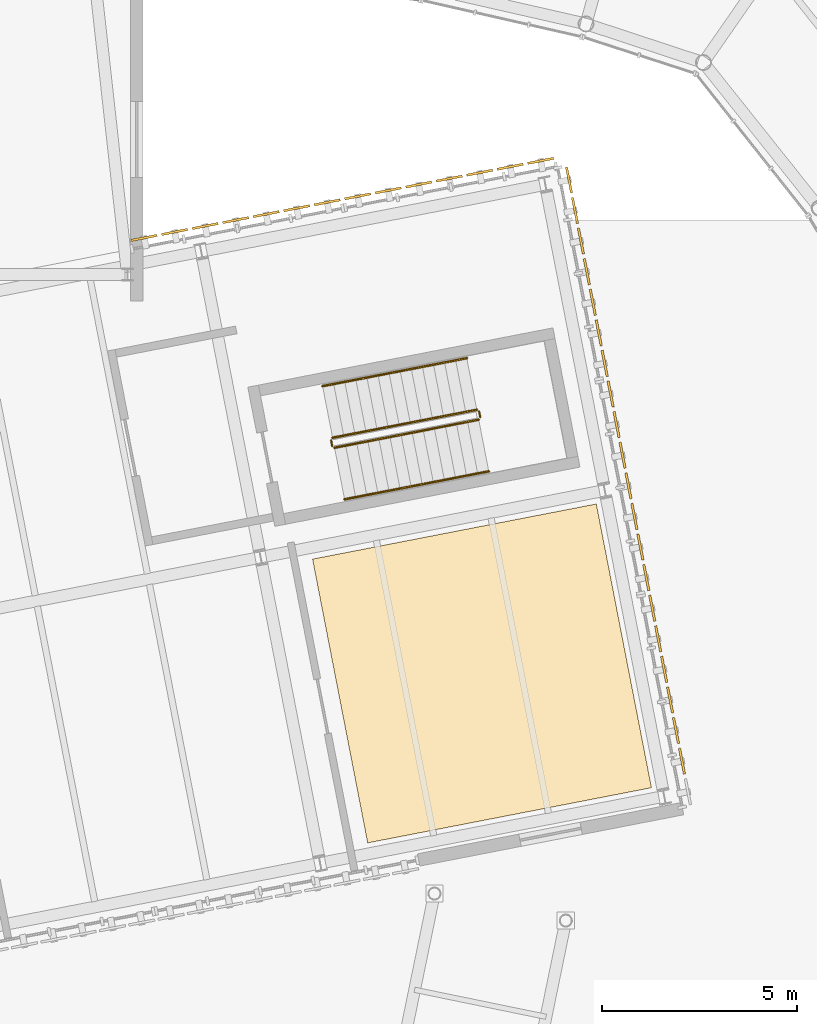
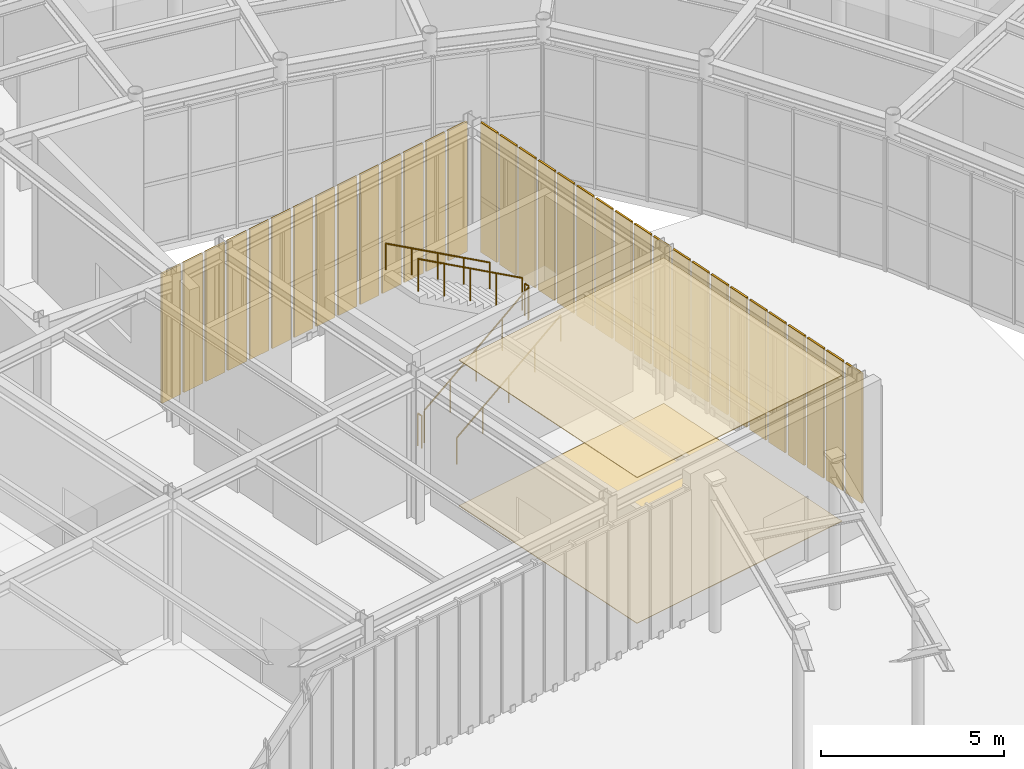
# One storey, part 93 of 97: 34 shading devices, 6 railings, 2 coverings.
"""IFC4 building model written with IfcOpenShell, lengths in metres."""

from ifc_helpers import new_model, si_unit, direction, frame, origin, origin_2d, place, context, subcontext, project, spatial, polyline, rectangle, circle, outline, extrude, material, layer, layer_set, type_object, element, save


model = new_model("IFC4")

# Units and contexts
model_context = context("Model", 3, precision=1e-05, world=origin(), true_north=direction((0.0, 1.0)))
body_context = subcontext(model_context, "Body", "Model", "MODEL_VIEW")
ifc_project = project(units=[si_unit("LENGTHUNIT", "METRE"), si_unit("AREAUNIT", "SQUARE_METRE"), si_unit("VOLUMEUNIT", "CUBIC_METRE"), si_unit("PLANEANGLEUNIT", "RADIAN"), si_unit("MASSUNIT", "GRAM", prefix="KILO")], contexts=[model_context])

# Site, building, storey
site_placement = place(None, origin())
site = spatial("IfcSite", under=ifc_project, at=site_placement, CompositionType="ELEMENT")
building_placement = place(site_placement, origin())
building = spatial("IfcBuilding", under=site, at=building_placement, Name="Varnklinge Art Gallery", CompositionType="ELEMENT")
storey_placement = place(building_placement, origin())
storey = spatial("IfcBuildingStorey", under=building, at=storey_placement, Name="L00", CompositionType="ELEMENT", Elevation=0.0)

# Coverings
ifc_material_1 = material(Name="Acoustic Mineral Tile", Category="mineral")
ifc_layer_1 = layer(ifc_material_1, 0.02490234375)
ifc_layer_set_1 = layer_set([ifc_layer_1], Name="Acoustic Mineral Tile")
covering_type_1 = type_object("IfcCoveringType", Name="CLG-AC", PredefinedType="CEILING", material=ifc_layer_set_1)
covering_1_placement = place(storey_placement, frame((0.0, 0.0, 4.85498046875)))
element("IfcCovering", 1, at=covering_1_placement, inside=storey, type_object=covering_type_1, Name="L00 Acoustic Mineral Ceiling 013", PredefinedType="CEILING", context=body_context, shape_type="SweptSolid", body=[
    extrude(outline(polyline([(81.152587890625, 73.293212890625), (82.568359375, 66.009521484375), (89.85205078125, 67.42529296875), (88.436279296875, 74.708984375), (81.152587890625, 73.293212890625)])), origin(), (0.0, 0.0, 1.0), 0.02490234375),
])
ifc_material_2 = material(Name="Polished Terrazzo Flooring", Category="stone")
ifc_layer_2 = layer(ifc_material_2, 0.02001953125)
ifc_layer_set_2 = layer_set([ifc_layer_2], Name="Polished Terrazzo Flooring")
covering_type_2 = type_object("IfcCoveringType", Name="FLR-STN", PredefinedType="FLOORING", material=ifc_layer_set_2)
covering_2_placement = place(storey_placement, origin())
element("IfcCovering", 2, at=covering_2_placement, inside=storey, type_object=covering_type_2, Name="L00 Gallery Terrazzo Flooring 013", PredefinedType="FLOORING", context=body_context, shape_type="SweptSolid", body=[
    extrude(outline(polyline([(81.152587890625, 73.293212890625), (82.568359375, 66.009521484375), (89.85205078125, 67.42529296875), (88.436279296875, 74.708984375), (81.152587890625, 73.293212890625)])), origin(), (0.0, 0.0, 1.0), 0.02001953125),
])

# Railings
ifc_material_3 = material(Name="Steel S355", Category="steel")
railing_type_1 = type_object("IfcRailingType", Name="GR-INT", PredefinedType="GUARDRAIL", material=ifc_material_3)
railing_1_placement = place(storey_placement, frame((81.717041015625, 76.1533203125, 0.18212890625)))
element("IfcRailing", 3, at=railing_1_placement, inside=storey, type_object=railing_type_1, Name="L00 ST-10 stair guard 1", PredefinedType="GUARDRAIL", context=body_context, shape_type="SweptSolid", body=[
    extrude(circle(Radius=0.02392578125, at=origin_2d()), frame((0.0, 0.0, 1.076171875), z_axis=(0.83125213274, 0.1616110328, 0.531885105914), x_axis=(-0.190845392396, 0.981620107884, 0.0)), (0.0, 0.0, 1.0), 4.451904296875),
    extrude(circle(Radius=0.02099609375, at=origin_2d()), origin(), (0.0, 0.0, 1.0), 1.052001953125),
    extrude(circle(Radius=0.02099609375, at=origin_2d()), frame((0.92529296875, 0.179931640625, 0.592041015625)), (0.0, 0.0, 1.0), 1.052001953125),
    extrude(circle(Radius=0.02099609375, at=origin_2d()), frame((1.850341796875, 0.35986328125, 1.18408203125)), (0.0, 0.0, 1.0), 1.052001953125),
    extrude(circle(Radius=0.02099609375, at=origin_2d()), frame((2.775390625, 0.53955078125, 1.77587890625)), (0.0, 0.0, 1.0), 1.052001953125),
    extrude(circle(Radius=0.02099609375, at=origin_2d()), frame((3.70068359375, 0.719482421875, 2.367919921875)), (0.0, 0.0, 1.0), 1.052001953125),
])
railing_2_placement = place(storey_placement, frame((85.457275390625, 76.931396484375, 2.550048828125)))
element("IfcRailing", 4, at=railing_2_placement, inside=storey, type_object=railing_type_1, Name="L00 ST-10 stair guard 2", PredefinedType="GUARDRAIL", context=body_context, shape_type="SweptSolid", body=[
    extrude(circle(Radius=0.02392578125, at=origin_2d()), frame((0.0, 0.0, 1.076171875), z_axis=(-0.190828797455, 0.981623334106, 0.0), x_axis=(-0.981623334106, -0.190828797455, 0.0)), (0.0, 0.0, 1.0), 0.159912109375),
    extrude(circle(Radius=0.02099609375, at=origin_2d()), origin(), (0.0, 0.0, 1.0), 1.052001953125),
    extrude(circle(Radius=0.02099609375, at=origin_2d()), frame((-0.030517578125, 0.156982421875, 0.0)), (0.0, 0.0, 1.0), 1.052001953125),
])
railing_3_placement = place(storey_placement, frame((85.3681640625, 77.1279296875, 2.732177734375)))
element("IfcRailing", 5, at=railing_3_placement, inside=storey, type_object=railing_type_1, Name="L00 ST-10 stair guard 3", PredefinedType="GUARDRAIL", context=body_context, shape_type="SweptSolid", body=[
    extrude(circle(Radius=0.02392578125, at=origin_2d()), frame((0.0, 0.0, 1.076171875), z_axis=(-0.831259498655, -0.161557625217, 0.53188981907), x_axis=(0.190782990686, -0.98163223789, 0.0)), (0.0, 0.0, 1.0), 4.451904296875),
    extrude(circle(Radius=0.02099609375, at=origin_2d()), origin(), (0.0, 0.0, 1.0), 1.052001953125),
    extrude(circle(Radius=0.02099609375, at=origin_2d()), frame((-0.92529296875, -0.1796875, 0.592041015625)), (0.0, 0.0, 1.0), 1.052001953125),
    extrude(circle(Radius=0.02099609375, at=origin_2d()), frame((-1.850341796875, -0.359619140625, 1.18408203125)), (0.0, 0.0, 1.0), 1.052001953125),
    extrude(circle(Radius=0.02099609375, at=origin_2d()), frame((-2.775390625, -0.53955078125, 1.77587890625)), (0.0, 0.0, 1.0), 1.052001953125),
    extrude(circle(Radius=0.02099609375, at=origin_2d()), frame((-3.70068359375, -0.71923828125, 2.367919921875)), (0.0, 0.0, 1.0), 1.052001953125),
])
railing_4_placement = place(storey_placement, frame((81.658447265625, 76.19287109375, 0.0)))
element("IfcRailing", 6, at=railing_4_placement, inside=storey, type_object=railing_type_1, Name="L00 ST-10 stair guard 4", PredefinedType="GUARDRAIL", context=body_context, shape_type="SweptSolid", body=[
    extrude(circle(Radius=0.02392578125, at=origin_2d()), frame((0.0, 0.0, 1.076171875), z_axis=(-0.190828797455, 0.981623334106, 0.0), x_axis=(-0.981623334106, -0.190828797455, 0.0)), (0.0, 0.0, 1.0), 0.159912109375),
    extrude(circle(Radius=0.02099609375, at=origin_2d()), origin(), (0.0, 0.0, 1.0), 1.052001953125),
    extrude(circle(Radius=0.02099609375, at=origin_2d()), frame((-0.030517578125, 0.156982421875, 0.0)), (0.0, 0.0, 1.0), 1.052001953125),
])
ifc_material_4 = material(Name="Steel S355", Category="steel")
railing_type_2 = type_object("IfcRailingType", Name="HR-01", PredefinedType="HANDRAIL", material=ifc_material_4)
railing_5_placement = place(storey_placement, frame((81.974609375, 74.828125, 0.18212890625)))
element("IfcRailing", 7, at=railing_5_placement, inside=storey, type_object=railing_type_2, Name="L00 ST-10 stair handrail 1", PredefinedType="HANDRAIL", context=body_context, shape_type="SweptSolid", body=[
    extrude(circle(Radius=0.02392578125, at=origin_2d()), frame((0.0, 0.0, 0.8759765625), z_axis=(0.83125213274, 0.1616110328, 0.531885105914), x_axis=(-0.190845392396, 0.981620107884, 0.0)), (0.0, 0.0, 1.0), 4.451904296875),
    extrude(circle(Radius=0.02099609375, at=origin_2d()), origin(), (0.0, 0.0, 1.0), 0.851806640625),
    extrude(circle(Radius=0.02099609375, at=origin_2d()), frame((0.92529296875, 0.179931640625, 0.592041015625)), (0.0, 0.0, 1.0), 0.851806640625),
    extrude(circle(Radius=0.02099609375, at=origin_2d()), frame((1.850341796875, 0.35986328125, 1.18408203125)), (0.0, 0.0, 1.0), 0.851806640625),
    extrude(circle(Radius=0.02099609375, at=origin_2d()), frame((2.775390625, 0.53955078125, 1.77587890625)), (0.0, 0.0, 1.0), 0.851806640625),
    extrude(circle(Radius=0.02099609375, at=origin_2d()), frame((3.70068359375, 0.719482421875, 2.367919921875)), (0.0, 0.0, 1.0), 0.851806640625),
])
railing_6_placement = place(storey_placement, frame((85.110595703125, 78.453125, 2.732177734375)))
element("IfcRailing", 8, at=railing_6_placement, inside=storey, type_object=railing_type_2, Name="L00 ST-10 stair handrail 2", PredefinedType="HANDRAIL", context=body_context, shape_type="SweptSolid", body=[
    extrude(circle(Radius=0.02392578125, at=origin_2d()), frame((0.0, 0.0, 0.8759765625), z_axis=(-0.831259498655, -0.161557625217, 0.53188981907), x_axis=(0.190782990686, -0.98163223789, 0.0)), (0.0, 0.0, 1.0), 4.451904296875),
    extrude(circle(Radius=0.02099609375, at=origin_2d()), origin(), (0.0, 0.0, 1.0), 0.851806640625),
    extrude(circle(Radius=0.02099609375, at=origin_2d()), frame((-0.92529296875, -0.1796875, 0.592041015625)), (0.0, 0.0, 1.0), 0.851806640625),
    extrude(circle(Radius=0.02099609375, at=origin_2d()), frame((-1.850341796875, -0.359619140625, 1.18408203125)), (0.0, 0.0, 1.0), 0.851806640625),
    extrude(circle(Radius=0.02099609375, at=origin_2d()), frame((-2.775390625, -0.53955078125, 1.77587890625)), (0.0, 0.0, 1.0), 0.851806640625),
    extrude(circle(Radius=0.02099609375, at=origin_2d()), frame((-3.70068359375, -0.71923828125, 2.367919921875)), (0.0, 0.0, 1.0), 0.851806640625),
])

# Shading devices
ifc_material_5 = material(Name="Perforated Aluminium-Precast Lattice", Category="concrete")
ifc_layer_3 = layer(ifc_material_5, 0.06005859375)
ifc_layer_set_3 = layer_set([ifc_layer_3], Name="Perforated Aluminium-Precast Lattice")
shading_device_type = type_object("IfcShadingDeviceType", Name="SHD-LAT", PredefinedType="USERDEFINED", material=ifc_layer_set_3)
for number, where, z_axis, x_axis, name in (
    (9, (90.63623046875, 68.107421875, 0.099853515625), (0.0, 0.0, 1.0), (-0.190808995377, 0.981627183448, 0.0), "L00 Perforated Lattice Screen 2.1.2"),
    (10, (90.483642578125, 68.892578125, 0.099853515625), (0.0, 0.0, 1.0), (-0.190808995377, 0.981627183448, 0.0), "L00 Perforated Lattice Screen 2.1.3"),
    (11, (90.3310546875, 69.677978515625, 0.099853515625), (0.0, 0.0, 1.0), (-0.190808995377, 0.981627183448, 0.0), "L00 Perforated Lattice Screen 2.1.4"),
    (12, (90.17822265625, 70.46337890625, 0.099853515625), (0.0, 0.0, 1.0), (-0.190808995377, 0.981627183448, 0.0), "L00 Perforated Lattice Screen 2.1.5"),
    (13, (90.025634765625, 71.24853515625, 0.099853515625), (0.0, 0.0, 1.0), (-0.190808995377, 0.981627183448, 0.0), "L00 Perforated Lattice Screen 2.1.6"),
    (14, (89.873046875, 72.033935546875, 0.099853515625), (0.0, 0.0, 1.0), (-0.190808995377, 0.981627183448, 0.0), "L00 Perforated Lattice Screen 2.1.7"),
    (15, (89.720458984375, 72.819091796875, 0.099853515625), (0.0, 0.0, 1.0), (-0.190808995377, 0.981627183448, 0.0), "L00 Perforated Lattice Screen 2.2.1"),
    (16, (89.56787109375, 73.6044921875, 0.099853515625), (0.0, 0.0, 1.0), (-0.190808995377, 0.981627183448, 0.0), "L00 Perforated Lattice Screen 2.2.2"),
    (17, (89.4150390625, 74.389892578125, 0.099853515625), (0.0, 0.0, 1.0), (-0.190808995377, 0.981627183448, 0.0), "L00 Perforated Lattice Screen 2.2.3"),
    (18, (89.262451171875, 75.175048828125, 0.099853515625), (0.0, 0.0, 1.0), (-0.190808995377, 0.981627183448, 0.0), "L00 Perforated Lattice Screen 2.2.4"),
    (19, (89.10986328125, 75.96044921875, 0.099853515625), (0.0, 0.0, 1.0), (-0.190808995377, 0.981627183448, 0.0), "L00 Perforated Lattice Screen 2.2.5"),
    (20, (88.957275390625, 76.74560546875, 0.099853515625), (0.0, 0.0, 1.0), (-0.190808995377, 0.981627183448, 0.0), "L00 Perforated Lattice Screen 2.2.6"),
    (21, (88.804443359375, 77.531005859375, 0.099853515625), (0.0, 0.0, 1.0), (-0.190808995377, 0.981627183448, 0.0), "L00 Perforated Lattice Screen 2.2.7"),
    (22, (88.65185546875, 78.31640625, 0.099853515625), (0.0, 0.0, 1.0), (-0.190808995377, 0.981627183448, 0.0), "L00 Perforated Lattice Screen 2.3.1"),
    (23, (88.499267578125, 79.1015625, 0.099853515625), (0.0, 0.0, 1.0), (-0.190808995377, 0.981627183448, 0.0), "L00 Perforated Lattice Screen 2.3.2"),
    (24, (88.3466796875, 79.886962890625, 0.099853515625), (0.0, 0.0, 1.0), (-0.190808995377, 0.981627183448, 0.0), "L00 Perforated Lattice Screen 2.3.3"),
    (25, (88.19384765625, 80.672119140625, 0.099853515625), (0.0, 0.0, 1.0), (-0.190808995377, 0.981627183448, 0.0), "L00 Perforated Lattice Screen 2.3.4"),
    (26, (88.041259765625, 81.45751953125, 0.099853515625), (0.0, 0.0, 1.0), (-0.190808995377, 0.981627183448, 0.0), "L00 Perforated Lattice Screen 2.3.5"),
    (27, (87.888671875, 82.242919921875, 0.099853515625), (0.0, 0.0, 1.0), (-0.190808995377, 0.981627183448, 0.0), "L00 Perforated Lattice Screen 2.3.6"),
    (28, (87.736083984375, 83.028076171875, 0.099853515625), (0.0, 0.0, 1.0), (-0.190808995377, 0.981627183448, 0.0), "L00 Perforated Lattice Screen 2.3.7"),
    (29, (87.01025390625, 83.5185546875, 0.099853515625), (0.0, 0.0, 1.0), (-0.981627183448, -0.190808995377, 0.0), "L00 Perforated Lattice Screen 3.1.1"),
    (30, (86.22705078125, 83.366455078125, 0.099853515625), (0.0, 0.0, 1.0), (-0.981627183448, -0.190808995377, 0.0), "L00 Perforated Lattice Screen 3.1.2"),
    (31, (85.44384765625, 83.214111328125, 0.099853515625), (0.0, 0.0, 1.0), (-0.981627183448, -0.190808995377, 0.0), "L00 Perforated Lattice Screen 3.1.3"),
    (32, (84.660888671875, 83.06201171875, 0.099853515625), (0.0, 0.0, 1.0), (-0.981627183448, -0.190808995377, 0.0), "L00 Perforated Lattice Screen 3.1.4"),
    (33, (83.877685546875, 82.909912109375, 0.099853515625), (0.0, 0.0, 1.0), (-0.981627183448, -0.190808995377, 0.0), "L00 Perforated Lattice Screen 3.1.5"),
    (34, (83.094482421875, 82.757568359375, 0.099853515625), (0.0, 0.0, 1.0), (-0.981627183448, -0.190808995377, 0.0), "L00 Perforated Lattice Screen 3.1.6"),
    (35, (82.311279296875, 82.605224609375, 0.099853515625), (0.0, 0.0, 1.0), (-0.981627183448, -0.190808995377, 0.0), "L00 Perforated Lattice Screen 3.1.7"),
    (36, (81.5283203125, 82.453125, 0.099853515625), (0.0, 0.0, 1.0), (-0.981627183448, -0.190808995377, 0.0), "L00 Perforated Lattice Screen 3.2.1"),
    (37, (80.7451171875, 82.30078125, 0.099853515625), (0.0, 0.0, 1.0), (-0.981627183448, -0.190808995377, 0.0), "L00 Perforated Lattice Screen 3.2.2"),
    (38, (79.962158203125, 82.148681640625, 0.099853515625), (0.0, 0.0, 1.0), (-0.981627183448, -0.190808995377, 0.0), "L00 Perforated Lattice Screen 3.2.3"),
    (39, (79.178955078125, 81.996337890625, 0.099853515625), (0.0, 0.0, 1.0), (-0.981627183448, -0.190808995377, 0.0), "L00 Perforated Lattice Screen 3.2.4"),
    (40, (78.395751953125, 81.84423828125, 0.099853515625), (0.0, 0.0, 1.0), (-0.981627183448, -0.190808995377, 0.0), "L00 Perforated Lattice Screen 3.2.5"),
    (41, (77.61279296875, 81.69189453125, 0.099853515625), (0.0, 0.0, 1.0), (-0.981627183448, -0.190808995377, 0.0), "L00 Perforated Lattice Screen 3.2.6"),
    (42, (76.82958984375, 81.539794921875, 0.099853515625), (0.0, 0.0, 1.0), (-0.981627183448, -0.190808995377, 0.0), "L00 Perforated Lattice Screen 3.2.7"),
):
    element("IfcShadingDevice", number, at=place(storey_placement, frame(where, z_axis=z_axis, x_axis=x_axis)), inside=storey, type_object=shading_device_type, Name=name, ObjectType="LATTICE SCREEN", PredefinedType="USERDEFINED", context=body_context, shape_type="SweptSolid", body=[
        extrude(rectangle(XDim=0.679931640625, YDim=0.06005859375, at=origin_2d()), origin(), (0.0, 0.0, 1.0), 4.330078125),
    ])

save(model, "model.ifc")
